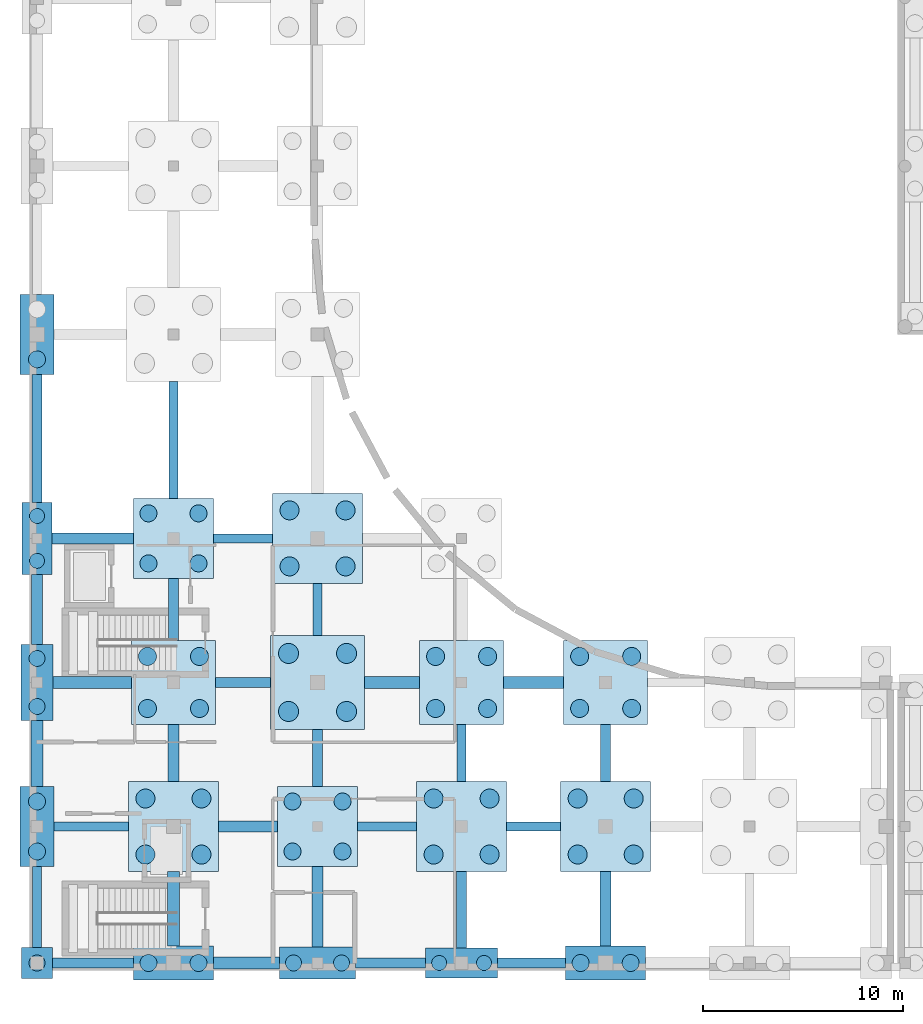
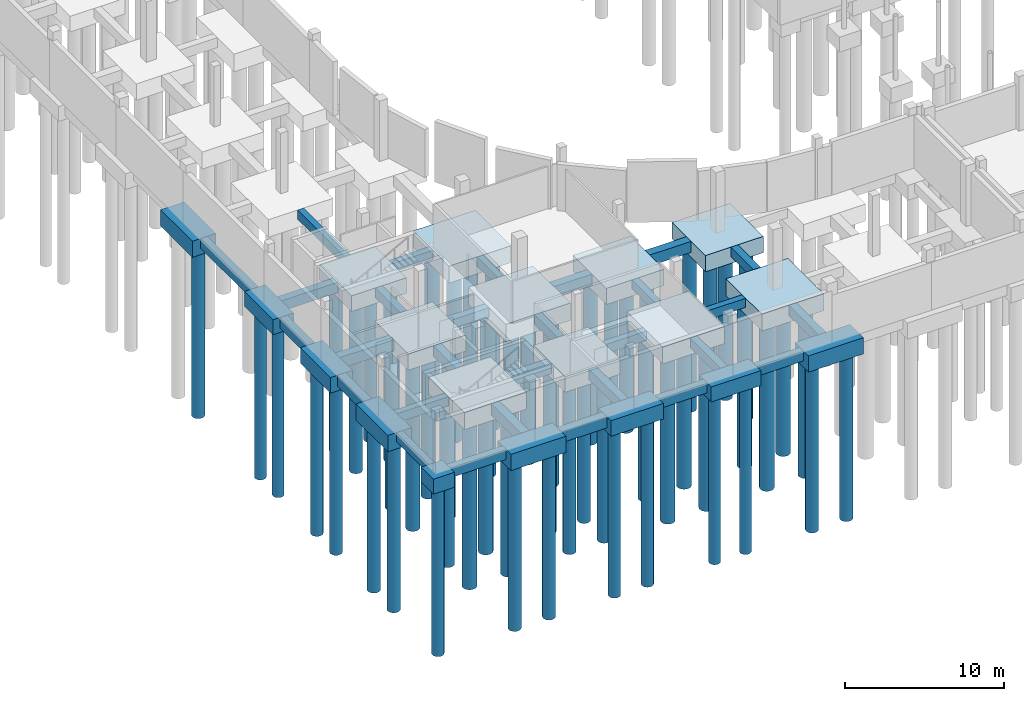
# One storey, part 1 of 41: 56 piles, 48 footings.
"""IFC4 building model written with IfcOpenShell, lengths in metres."""

from ifc_helpers import new_model, si_unit, direction, frame, origin, origin_2d, place, context, subcontext, project, spatial, rectangle, circle, extrude, material, material_profile, profile_set, type_object, element, save


model = new_model("IFC4")

# Units and contexts
model_context = context("Model", 3, precision=1e-05, world=origin(), true_north=direction((0.0, 1.0)))
body_context = subcontext(model_context, "Body", "Model", "MODEL_VIEW")
ifc_project = project(units=[si_unit("LENGTHUNIT", "METRE"), si_unit("AREAUNIT", "SQUARE_METRE"), si_unit("VOLUMEUNIT", "CUBIC_METRE"), si_unit("PLANEANGLEUNIT", "RADIAN"), si_unit("MASSUNIT", "GRAM", prefix="KILO")], contexts=[model_context])

# Site, building, storey
site_placement = place(None, origin())
site = spatial("IfcSite", under=ifc_project, at=site_placement, CompositionType="ELEMENT")
building_placement = place(site_placement, origin())
building = spatial("IfcBuilding", under=site, at=building_placement, Name="Vardoun Plaza Health Centre", CompositionType="ELEMENT")
storey_placement = place(building_placement, frame((0.0, 0.0, -4.5)))
storey = spatial("IfcBuildingStorey", under=building, at=storey_placement, Name="B1", CompositionType="ELEMENT", Elevation=-4.5)

# Footings
ifc_material_1 = material(Name="Concrete C40/50", Category="concrete")
footing_type_1 = type_object("IfcFootingType", Name="PC-02", PredefinedType="PILE_CAP", material=ifc_material_1)
footing_1_placement = place(storey_placement, frame((4.8798828125, 4.8798828125, -1.570068359375), z_axis=(0.0, 0.0, 1.0), x_axis=(1.0, 0.0, 0.0)))
element("IfcFooting", 1, at=footing_1_placement, inside=storey, type_object=footing_type_1, Name="V2 Pile Cap PC-V2-01", PredefinedType="PILE_CAP", context=body_context, shape_type="SweptSolid", body=[
    extrude(rectangle(XDim=1.550048828125, YDim=1.550048828125, at=origin_2d()), origin(), (0.0, 0.0, 1.0), 1.14990234375),
])
ifc_material_2 = material(Name="Concrete C40/50", Category="concrete")
footing_type_2 = type_object("IfcFootingType", Name="PC-03", PredefinedType="PILE_CAP", material=ifc_material_2)
for number, where, z_axis, x_axis, name in (
    (2, (4.8798828125, 26.10009765625, -1.570068359375), (0.0, 0.0, 1.0), (0.0, 1.0, 0.0), "V2 Pile Cap PC-V2-04"),
    (3, (26.10009765625, 4.8798828125, -1.570068359375), (0.0, 0.0, 1.0), (1.0, 0.0, 0.0), "V2 Pile Cap PC-V2-31"),
):
    element("IfcFooting", number, at=place(storey_placement, frame(where, z_axis=z_axis, x_axis=x_axis)), inside=storey, type_object=footing_type_2, Name=name, PredefinedType="PILE_CAP", context=body_context, shape_type="SweptSolid", body=[
        extrude(rectangle(XDim=3.60009765625, YDim=1.5, at=origin_2d()), origin(), (0.0, 0.0, 1.0), 1.14990234375),
    ])
ifc_material_3 = material(Name="Concrete C40/50", Category="concrete")
footing_type_3 = type_object("IfcFootingType", Name="PC-04", PredefinedType="PILE_CAP", material=ifc_material_3)
for number, where, z_axis, x_axis, name in (
    (4, (4.8798828125, 18.89990234375, -1.6201171875), (0.0, 0.0, 1.0), (0.0, 1.0, 0.0), "V2 Pile Cap PC-V2-03"),
    (5, (18.89990234375, 4.8798828125, -1.6201171875), (0.0, 0.0, 1.0), (1.0, 0.0, 0.0), "V2 Pile Cap PC-V2-21"),
):
    element("IfcFooting", number, at=place(storey_placement, frame(where, z_axis=z_axis, x_axis=x_axis)), inside=storey, type_object=footing_type_3, Name=name, PredefinedType="PILE_CAP", context=body_context, shape_type="SweptSolid", body=[
        extrude(rectangle(XDim=3.800048828125, YDim=1.60009765625, at=origin_2d()), origin(), (0.0, 0.0, 1.0), 1.199951171875),
    ])
ifc_material_4 = material(Name="Concrete C40/50", Category="concrete")
footing_type_4 = type_object("IfcFootingType", Name="PC-05", PredefinedType="PILE_CAP", material=ifc_material_4)
for number, where, z_axis, x_axis, name in (
    (6, (4.8798828125, 11.699951171875, -1.669921875), (0.0, 0.0, 1.0), (0.0, 1.0, 0.0), "V2 Pile Cap PC-V2-02"),
    (7, (4.8798828125, 36.300048828125, -1.669921875), (0.0, 0.0, 1.0), (0.0, 1.0, 0.0), "V2 Pile Cap PC-V2-05"),
    (8, (11.699951171875, 4.8798828125, -1.669921875), (0.0, 0.0, 1.0), (1.0, 0.0, 0.0), "V2 Pile Cap PC-V2-11"),
    (9, (33.300048828125, 4.8798828125, -1.669921875), (0.0, 0.0, 1.0), (1.0, 0.0, 0.0), "V2 Pile Cap PC-V2-35"),
):
    element("IfcFooting", number, at=place(storey_placement, frame(where, z_axis=z_axis, x_axis=x_axis)), inside=storey, type_object=footing_type_4, Name=name, PredefinedType="PILE_CAP", context=body_context, shape_type="SweptSolid", body=[
        extrude(rectangle(XDim=4.0, YDim=1.699951171875, at=origin_2d()), origin(), (0.0, 0.0, 1.0), 1.25),
    ])
ifc_material_5 = material(Name="Concrete C40/50", Category="concrete")
footing_type_5 = type_object("IfcFootingType", Name="PC-06", PredefinedType="PILE_CAP", material=ifc_material_5)
for number, where, z_axis, x_axis, name in (
    (10, (11.699951171875, 26.10009765625, -1.6201171875), (0.0, 0.0, 1.0), (1.0, 0.0, 0.0), "V2 Pile Cap PC-V2-14"),
    (11, (18.89990234375, 11.699951171875, -1.6201171875), (0.0, 0.0, 1.0), (1.0, 0.0, 0.0), "V2 Pile Cap PC-V2-22"),
):
    element("IfcFooting", number, at=place(storey_placement, frame(where, z_axis=z_axis, x_axis=x_axis)), inside=storey, type_object=footing_type_5, Name=name, PredefinedType="PILE_CAP", context=body_context, shape_type="SweptSolid", body=[
        extrude(rectangle(XDim=4.0, YDim=4.0, at=origin_2d()), origin(), (0.0, 0.0, 1.0), 1.199951171875),
    ])
ifc_material_6 = material(Name="Concrete C40/50", Category="concrete")
footing_type_6 = type_object("IfcFootingType", Name="PC-07", PredefinedType="PILE_CAP", material=ifc_material_6)
for number, where, z_axis, x_axis, name in (
    (12, (11.699951171875, 18.89990234375, -1.669921875), (0.0, 0.0, 1.0), (1.0, 0.0, 0.0), "V2 Pile Cap PC-V2-13"),
    (13, (26.10009765625, 18.89990234375, -1.669921875), (0.0, 0.0, 1.0), (1.0, 0.0, 0.0), "V2 Pile Cap PC-V2-33"),
    (14, (33.300048828125, 18.89990234375, -1.669921875), (0.0, 0.0, 1.0), (1.0, 0.0, 0.0), "V2 Pile Cap PC-V2-37"),
):
    element("IfcFooting", number, at=place(storey_placement, frame(where, z_axis=z_axis, x_axis=x_axis)), inside=storey, type_object=footing_type_6, Name=name, PredefinedType="PILE_CAP", context=body_context, shape_type="SweptSolid", body=[
        extrude(rectangle(XDim=4.199951171875, YDim=4.199951171875, at=origin_2d()), origin(), (0.0, 0.0, 1.0), 1.25),
    ])
ifc_material_7 = material(Name="Concrete C40/50", Category="concrete")
footing_type_7 = type_object("IfcFootingType", Name="PC-08", PredefinedType="PILE_CAP", material=ifc_material_7)
for number, where, z_axis, x_axis, name in (
    (15, (11.699951171875, 11.699951171875, -1.72021484375), (0.0, 0.0, 1.0), (1.0, 0.0, 0.0), "V2 Pile Cap PC-V2-12"),
    (16, (18.89990234375, 26.10009765625, -1.72021484375), (0.0, 0.0, 1.0), (1.0, 0.0, 0.0), "V2 Pile Cap PC-V2-24"),
    (17, (26.10009765625, 11.699951171875, -1.72021484375), (0.0, 0.0, 1.0), (1.0, 0.0, 0.0), "V2 Pile Cap PC-V2-32"),
    (18, (33.300048828125, 11.699951171875, -1.72021484375), (0.0, 0.0, 1.0), (1.0, 0.0, 0.0), "V2 Pile Cap PC-V2-36"),
):
    element("IfcFooting", number, at=place(storey_placement, frame(where, z_axis=z_axis, x_axis=x_axis)), inside=storey, type_object=footing_type_7, Name=name, PredefinedType="PILE_CAP", context=body_context, shape_type="SweptSolid", body=[
        extrude(rectangle(XDim=4.5, YDim=4.5, at=origin_2d()), origin(), (0.0, 0.0, 1.0), 1.300048828125),
    ])
ifc_material_8 = material(Name="Concrete C40/50", Category="concrete")
footing_type_8 = type_object("IfcFootingType", Name="PC-09", PredefinedType="PILE_CAP", material=ifc_material_8)
footing_2_placement = place(storey_placement, frame((18.89990234375, 18.89990234375, -1.77001953125), z_axis=(0.0, 0.0, 1.0), x_axis=(1.0, 0.0, 0.0)))
element("IfcFooting", 19, at=footing_2_placement, inside=storey, type_object=footing_type_8, Name="V2 Pile Cap PC-V2-23", PredefinedType="PILE_CAP", context=body_context, shape_type="SweptSolid", body=[
    extrude(rectangle(XDim=4.699951171875, YDim=4.699951171875, at=origin_2d()), origin(), (0.0, 0.0, 1.0), 1.35009765625),
])
ifc_material_9 = material(Name="Concrete C40/50", Category="concrete")
ifc_material_profile_1 = material_profile(ifc_material_9, rectangle(XDim=0.449951171875, YDim=0.699951171875, at=origin_2d()), Name="GB 450x700")
ifc_profile_set_1 = profile_set([ifc_material_profile_1], Name="Concrete C40/50")
footing_type_9 = type_object("IfcFootingType", Name="GB-01", PredefinedType="FOOTING_BEAM", material=ifc_profile_set_1)
footing_3_placement = place(storey_placement, frame((5.72998046875, 11.699951171875, -0.77001953125), z_axis=(1.0, 0.0, 0.0), x_axis=(0.0, 1.0, 0.0)))
element("IfcFooting", 20, at=footing_3_placement, inside=storey, type_object=footing_type_9, Name="V2 Ground Tie Beam 2", PredefinedType="FOOTING_BEAM", context=body_context, shape_type="SweptSolid", body=[
    extrude(rectangle(XDim=0.449951171875, YDim=0.699951171875, at=origin_2d()), origin(), (0.0, 0.0, 1.0), 3.719970703125),
])
footing_4_placement = place(storey_placement, frame((13.699951171875, 26.10009765625, -0.77001953125), z_axis=(1.0, 0.0, 0.0), x_axis=(0.0, 1.0, 0.0)))
element("IfcFooting", 21, at=footing_4_placement, inside=storey, type_object=footing_type_9, Name="V2 Ground Tie Beam 14", PredefinedType="FOOTING_BEAM", context=body_context, shape_type="SweptSolid", body=[
    extrude(rectangle(XDim=0.449951171875, YDim=0.699951171875, at=origin_2d()), origin(), (0.0, 0.0, 1.0), 2.949951171875),
])
footing_5_placement = place(storey_placement, frame((20.89990234375, 11.699951171875, -0.77001953125), z_axis=(1.0, 0.0, 0.0), x_axis=(0.0, 1.0, 0.0)))
element("IfcFooting", 22, at=footing_5_placement, inside=storey, type_object=footing_type_9, Name="V2 Ground Tie Beam 22", PredefinedType="FOOTING_BEAM", context=body_context, shape_type="SweptSolid", body=[
    extrude(rectangle(XDim=0.449951171875, YDim=0.699951171875, at=origin_2d()), origin(), (0.0, 0.0, 1.0), 2.9501953125),
])
footing_6_placement = place(storey_placement, frame((28.35009765625, 11.699951171875, -0.77001953125), z_axis=(1.0, 0.0, 0.0), x_axis=(0.0, 1.0, 0.0)))
element("IfcFooting", 23, at=footing_6_placement, inside=storey, type_object=footing_type_9, Name="V2 Ground Tie Beam 26", PredefinedType="FOOTING_BEAM", context=body_context, shape_type="SweptSolid", body=[
    extrude(rectangle(XDim=0.449951171875, YDim=0.699951171875, at=origin_2d()), origin(), (0.0, 0.0, 1.0), 2.699951171875),
])
footing_7_placement = place(storey_placement, frame((4.8798828125, 5.655029296875, -0.77001953125), z_axis=(0.0, 1.0, 0.0), x_axis=(-1.0, 0.0, 0.0)))
element("IfcFooting", 24, at=footing_7_placement, inside=storey, type_object=footing_type_9, Name="V2 Ground Tie Beam 34", PredefinedType="FOOTING_BEAM", context=body_context, shape_type="SweptSolid", body=[
    extrude(rectangle(XDim=0.449951171875, YDim=0.699951171875, at=origin_2d()), origin(), (0.0, 0.0, 1.0), 4.044921875),
])
footing_8_placement = place(storey_placement, frame((11.699951171875, 28.10009765625, -0.77001953125), z_axis=(0.0, 1.0, 0.0), x_axis=(-1.0, 0.0, 0.0)))
element("IfcFooting", 25, at=footing_8_placement, inside=storey, type_object=footing_type_9, Name="V2 Ground Tie Beam 46", PredefinedType="FOOTING_BEAM", context=body_context, shape_type="SweptSolid", body=[
    extrude(rectangle(XDim=0.449951171875, YDim=0.699951171875, at=origin_2d()), origin(), (0.0, 0.0, 1.0), 5.849853515625),
])
footing_9_placement = place(storey_placement, frame((18.89990234375, 21.25, -0.77001953125), z_axis=(0.0, 1.0, 0.0), x_axis=(-1.0, 0.0, 0.0)))
element("IfcFooting", 26, at=footing_9_placement, inside=storey, type_object=footing_type_9, Name="V2 Ground Tie Beam 54", PredefinedType="FOOTING_BEAM", context=body_context, shape_type="SweptSolid", body=[
    extrude(rectangle(XDim=0.449951171875, YDim=0.699951171875, at=origin_2d()), origin(), (0.0, 0.0, 1.0), 2.60009765625),
])
footing_10_placement = place(storey_placement, frame((26.10009765625, 13.949951171875, -0.77001953125), z_axis=(0.0, 1.0, 0.0), x_axis=(-1.0, 0.0, 0.0)))
element("IfcFooting", 27, at=footing_10_placement, inside=storey, type_object=footing_type_9, Name="V2 Ground Tie Beam 62", PredefinedType="FOOTING_BEAM", context=body_context, shape_type="SweptSolid", body=[
    extrude(rectangle(XDim=0.449951171875, YDim=0.699951171875, at=origin_2d()), origin(), (0.0, 0.0, 1.0), 2.85009765625),
])
ifc_material_10 = material(Name="Concrete C40/50", Category="concrete")
ifc_material_profile_2 = material_profile(ifc_material_10, rectangle(XDim=0.5, YDim=0.75, at=origin_2d()), Name="GB 500x750")
ifc_profile_set_2 = profile_set([ifc_material_profile_2], Name="Concrete C40/50")
footing_type_10 = type_object("IfcFootingType", Name="GB-02", PredefinedType="FOOTING_BEAM", material=ifc_profile_set_2)
footing_11_placement = place(storey_placement, frame((5.655029296875, 4.8798828125, -0.794921875), z_axis=(1.0, 0.0, 0.0), x_axis=(0.0, 1.0, 0.0)))
element("IfcFooting", 28, at=footing_11_placement, inside=storey, type_object=footing_type_10, Name="V2 Ground Tie Beam 1", PredefinedType="FOOTING_BEAM", context=body_context, shape_type="SweptSolid", body=[
    extrude(rectangle(XDim=0.5, YDim=0.75, at=origin_2d()), origin(), (0.0, 0.0, 1.0), 4.044921875),
])
footing_12_placement = place(storey_placement, frame((13.800048828125, 18.89990234375, -0.794921875), z_axis=(1.0, 0.0, 0.0), x_axis=(0.0, 1.0, 0.0)))
element("IfcFooting", 29, at=footing_12_placement, inside=storey, type_object=footing_type_10, Name="V2 Ground Tie Beam 13", PredefinedType="FOOTING_BEAM", context=body_context, shape_type="SweptSolid", body=[
    extrude(rectangle(XDim=0.5, YDim=0.75, at=origin_2d()), origin(), (0.0, 0.0, 1.0), 2.75),
])
footing_13_placement = place(storey_placement, frame((20.800048828125, 4.8798828125, -0.794921875), z_axis=(1.0, 0.0, 0.0), x_axis=(0.0, 1.0, 0.0)))
element("IfcFooting", 30, at=footing_13_placement, inside=storey, type_object=footing_type_10, Name="V2 Ground Tie Beam 21", PredefinedType="FOOTING_BEAM", context=body_context, shape_type="SweptSolid", body=[
    extrude(rectangle(XDim=0.5, YDim=0.75, at=origin_2d()), origin(), (0.0, 0.0, 1.0), 3.5),
])
footing_14_placement = place(storey_placement, frame((27.89990234375, 4.8798828125, -0.794921875), z_axis=(1.0, 0.0, 0.0), x_axis=(0.0, 1.0, 0.0)))
element("IfcFooting", 31, at=footing_14_placement, inside=storey, type_object=footing_type_10, Name="V2 Ground Tie Beam 25", PredefinedType="FOOTING_BEAM", context=body_context, shape_type="SweptSolid", body=[
    extrude(rectangle(XDim=0.5, YDim=0.75, at=origin_2d()), origin(), (0.0, 0.0, 1.0), 3.400146484375),
])
footing_15_placement = place(storey_placement, frame((4.8798828125, 27.89990234375, -0.794921875), z_axis=(0.0, 1.0, 0.0), x_axis=(-1.0, 0.0, 0.0)))
element("IfcFooting", 32, at=footing_15_placement, inside=storey, type_object=footing_type_10, Name="V2 Ground Tie Beam 37", PredefinedType="FOOTING_BEAM", context=body_context, shape_type="SweptSolid", body=[
    extrude(rectangle(XDim=0.5, YDim=0.75, at=origin_2d()), origin(), (0.0, 0.0, 1.0), 6.400146484375),
])
footing_16_placement = place(storey_placement, frame((11.699951171875, 21.0, -0.794921875), z_axis=(0.0, 1.0, 0.0), x_axis=(-1.0, 0.0, 0.0)))
element("IfcFooting", 33, at=footing_16_placement, inside=storey, type_object=footing_type_10, Name="V2 Ground Tie Beam 45", PredefinedType="FOOTING_BEAM", context=body_context, shape_type="SweptSolid", body=[
    extrude(rectangle(XDim=0.5, YDim=0.75, at=origin_2d()), origin(), (0.0, 0.0, 1.0), 3.10009765625),
])
footing_17_placement = place(storey_placement, frame((18.89990234375, 13.699951171875, -0.794921875), z_axis=(0.0, 1.0, 0.0), x_axis=(-1.0, 0.0, 0.0)))
element("IfcFooting", 34, at=footing_17_placement, inside=storey, type_object=footing_type_10, Name="V2 Ground Tie Beam 53", PredefinedType="FOOTING_BEAM", context=body_context, shape_type="SweptSolid", body=[
    extrude(rectangle(XDim=0.5, YDim=0.75, at=origin_2d()), origin(), (0.0, 0.0, 1.0), 2.85009765625),
])
footing_18_placement = place(storey_placement, frame((26.10009765625, 5.6298828125, -0.794921875), z_axis=(0.0, 1.0, 0.0), x_axis=(-1.0, 0.0, 0.0)))
element("IfcFooting", 35, at=footing_18_placement, inside=storey, type_object=footing_type_10, Name="V2 Ground Tie Beam 61", PredefinedType="FOOTING_BEAM", context=body_context, shape_type="SweptSolid", body=[
    extrude(rectangle(XDim=0.5, YDim=0.75, at=origin_2d()), origin(), (0.0, 0.0, 1.0), 3.820068359375),
])
footing_19_placement = place(storey_placement, frame((33.300048828125, 13.949951171875, -0.794921875), z_axis=(0.0, 1.0, 0.0), x_axis=(-1.0, 0.0, 0.0)))
element("IfcFooting", 36, at=footing_19_placement, inside=storey, type_object=footing_type_10, Name="V2 Ground Tie Beam 65", PredefinedType="FOOTING_BEAM", context=body_context, shape_type="SweptSolid", body=[
    extrude(rectangle(XDim=0.5, YDim=0.75, at=origin_2d()), origin(), (0.0, 0.0, 1.0), 2.85009765625),
])
ifc_material_11 = material(Name="Concrete C40/50", Category="concrete")
ifc_material_profile_3 = material_profile(ifc_material_11, rectangle(XDim=0.550048828125, YDim=0.800048828125, at=origin_2d()), Name="GB 550x800")
ifc_profile_set_3 = profile_set([ifc_material_profile_3], Name="Concrete C40/50")
footing_type_11 = type_object("IfcFootingType", Name="GB-03", PredefinedType="FOOTING_BEAM", material=ifc_profile_set_3)
footing_20_placement = place(storey_placement, frame((5.6298828125, 26.10009765625, -0.820068359375), z_axis=(1.0, 0.0, 0.0), x_axis=(0.0, 1.0, 0.0)))
element("IfcFooting", 37, at=footing_20_placement, inside=storey, type_object=footing_type_11, Name="V2 Ground Tie Beam 4", PredefinedType="FOOTING_BEAM", context=body_context, shape_type="SweptSolid", body=[
    extrude(rectangle(XDim=0.550048828125, YDim=0.800048828125, at=origin_2d()), origin(), (0.0, 0.0, 1.0), 4.070068359375),
])
footing_21_placement = place(storey_placement, frame((13.949951171875, 11.699951171875, -0.820068359375), z_axis=(1.0, 0.0, 0.0), x_axis=(0.0, 1.0, 0.0)))
element("IfcFooting", 38, at=footing_21_placement, inside=storey, type_object=footing_type_11, Name="V2 Ground Tie Beam 12", PredefinedType="FOOTING_BEAM", context=body_context, shape_type="SweptSolid", body=[
    extrude(rectangle(XDim=0.550048828125, YDim=0.800048828125, at=origin_2d()), origin(), (0.0, 0.0, 1.0), 2.949951171875),
])
footing_22_placement = place(storey_placement, frame((4.8798828125, 20.800048828125, -0.820068359375), z_axis=(0.0, 1.0, 0.0), x_axis=(-1.0, 0.0, 0.0)))
element("IfcFooting", 39, at=footing_22_placement, inside=storey, type_object=footing_type_11, Name="V2 Ground Tie Beam 36", PredefinedType="FOOTING_BEAM", context=body_context, shape_type="SweptSolid", body=[
    extrude(rectangle(XDim=0.550048828125, YDim=0.800048828125, at=origin_2d()), origin(), (0.0, 0.0, 1.0), 3.5),
])
footing_23_placement = place(storey_placement, frame((11.699951171875, 13.949951171875, -0.820068359375), z_axis=(0.0, 1.0, 0.0), x_axis=(-1.0, 0.0, 0.0)))
element("IfcFooting", 40, at=footing_23_placement, inside=storey, type_object=footing_type_11, Name="V2 Ground Tie Beam 44", PredefinedType="FOOTING_BEAM", context=body_context, shape_type="SweptSolid", body=[
    extrude(rectangle(XDim=0.550048828125, YDim=0.800048828125, at=origin_2d()), origin(), (0.0, 0.0, 1.0), 2.85009765625),
])
footing_24_placement = place(storey_placement, frame((18.89990234375, 5.679931640625, -0.820068359375), z_axis=(0.0, 1.0, 0.0), x_axis=(-1.0, 0.0, 0.0)))
element("IfcFooting", 41, at=footing_24_placement, inside=storey, type_object=footing_type_11, Name="V2 Ground Tie Beam 52", PredefinedType="FOOTING_BEAM", context=body_context, shape_type="SweptSolid", body=[
    extrude(rectangle(XDim=0.550048828125, YDim=0.800048828125, at=origin_2d()), origin(), (0.0, 0.0, 1.0), 4.02001953125),
])
footing_25_placement = place(storey_placement, frame((33.300048828125, 5.72998046875, -0.820068359375), z_axis=(0.0, 1.0, 0.0), x_axis=(-1.0, 0.0, 0.0)))
element("IfcFooting", 42, at=footing_25_placement, inside=storey, type_object=footing_type_11, Name="V2 Ground Tie Beam 64", PredefinedType="FOOTING_BEAM", context=body_context, shape_type="SweptSolid", body=[
    extrude(rectangle(XDim=0.550048828125, YDim=0.800048828125, at=origin_2d()), origin(), (0.0, 0.0, 1.0), 3.719970703125),
])
ifc_material_12 = material(Name="Concrete C40/50", Category="concrete")
ifc_material_profile_4 = material_profile(ifc_material_12, rectangle(XDim=0.60009765625, YDim=0.85009765625, at=origin_2d()), Name="GB 600x850")
ifc_profile_set_4 = profile_set([ifc_material_profile_4], Name="Concrete C40/50")
footing_type_12 = type_object("IfcFootingType", Name="GB-04", PredefinedType="FOOTING_BEAM", material=ifc_profile_set_4)
footing_26_placement = place(storey_placement, frame((5.679931640625, 18.89990234375, -0.844970703125), z_axis=(1.0, 0.0, 0.0), x_axis=(0.0, 1.0, 0.0)))
element("IfcFooting", 43, at=footing_26_placement, inside=storey, type_object=footing_type_12, Name="V2 Ground Tie Beam 3", PredefinedType="FOOTING_BEAM", context=body_context, shape_type="SweptSolid", body=[
    extrude(rectangle(XDim=0.60009765625, YDim=0.85009765625, at=origin_2d()), origin(), (0.0, 0.0, 1.0), 3.920166015625),
])
footing_27_placement = place(storey_placement, frame((13.699951171875, 4.8798828125, -0.844970703125), z_axis=(1.0, 0.0, 0.0), x_axis=(0.0, 1.0, 0.0)))
element("IfcFooting", 44, at=footing_27_placement, inside=storey, type_object=footing_type_12, Name="V2 Ground Tie Beam 11", PredefinedType="FOOTING_BEAM", context=body_context, shape_type="SweptSolid", body=[
    extrude(rectangle(XDim=0.60009765625, YDim=0.85009765625, at=origin_2d()), origin(), (0.0, 0.0, 1.0), 3.300048828125),
])
footing_28_placement = place(storey_placement, frame((21.25, 18.89990234375, -0.844970703125), z_axis=(1.0, 0.0, 0.0), x_axis=(0.0, 1.0, 0.0)))
element("IfcFooting", 45, at=footing_28_placement, inside=storey, type_object=footing_type_12, Name="V2 Ground Tie Beam 23", PredefinedType="FOOTING_BEAM", context=body_context, shape_type="SweptSolid", body=[
    extrude(rectangle(XDim=0.60009765625, YDim=0.85009765625, at=origin_2d()), origin(), (0.0, 0.0, 1.0), 2.75),
])
footing_29_placement = place(storey_placement, frame((28.199951171875, 18.89990234375, -0.844970703125), z_axis=(1.0, 0.0, 0.0), x_axis=(0.0, 1.0, 0.0)))
element("IfcFooting", 46, at=footing_29_placement, inside=storey, type_object=footing_type_12, Name="V2 Ground Tie Beam 27", PredefinedType="FOOTING_BEAM", context=body_context, shape_type="SweptSolid", body=[
    extrude(rectangle(XDim=0.60009765625, YDim=0.85009765625, at=origin_2d()), origin(), (0.0, 0.0, 1.0), 3.0),
])
footing_30_placement = place(storey_placement, frame((4.8798828125, 13.699951171875, -0.844970703125), z_axis=(0.0, 1.0, 0.0), x_axis=(-1.0, 0.0, 0.0)))
element("IfcFooting", 47, at=footing_30_placement, inside=storey, type_object=footing_type_12, Name="V2 Ground Tie Beam 35", PredefinedType="FOOTING_BEAM", context=body_context, shape_type="SweptSolid", body=[
    extrude(rectangle(XDim=0.60009765625, YDim=0.85009765625, at=origin_2d()), origin(), (0.0, 0.0, 1.0), 3.300048828125),
])
footing_31_placement = place(storey_placement, frame((11.699951171875, 5.72998046875, -0.844970703125), z_axis=(0.0, 1.0, 0.0), x_axis=(-1.0, 0.0, 0.0)))
element("IfcFooting", 48, at=footing_31_placement, inside=storey, type_object=footing_type_12, Name="V2 Ground Tie Beam 43", PredefinedType="FOOTING_BEAM", context=body_context, shape_type="SweptSolid", body=[
    extrude(rectangle(XDim=0.60009765625, YDim=0.85009765625, at=origin_2d()), origin(), (0.0, 0.0, 1.0), 3.719970703125),
])

# Piles
ifc_material_13 = material(Name="Concrete C40/50", Category="concrete")
ifc_material_profile_5 = material_profile(ifc_material_13, circle(Radius=0.5, at=origin_2d()), Name="PILE D1000")
ifc_profile_set_5 = profile_set([ifc_material_profile_5], Name="Concrete C40/50")
pile_type_1 = type_object("IfcPileType", Name="PL-06", PredefinedType="BORED", material=ifc_profile_set_5)
for number, where, z_axis, x_axis, name in (
    (49, (17.449951171875, 17.449951171875, -1.669921875), (0.0, 0.0, -1.0), (1.0, 0.0, 0.0), "V2 Bored Pile PL-V2-23A"),
    (50, (20.35009765625, 17.449951171875, -1.669921875), (0.0, 0.0, -1.0), (1.0, 0.0, 0.0), "V2 Bored Pile PL-V2-23B"),
    (51, (17.449951171875, 20.35009765625, -1.669921875), (0.0, 0.0, -1.0), (1.0, 0.0, 0.0), "V2 Bored Pile PL-V2-23C"),
    (52, (20.35009765625, 20.35009765625, -1.669921875), (0.0, 0.0, -1.0), (1.0, 0.0, 0.0), "V2 Bored Pile PL-V2-23D"),
):
    element("IfcPile", number, at=place(storey_placement, frame(where, z_axis=z_axis, x_axis=x_axis)), inside=storey, type_object=pile_type_1, Name=name, PredefinedType="BORED", context=body_context, shape_type="SweptSolid", body=[
        extrude(circle(Radius=0.5, at=origin_2d()), origin(), (0.0, 0.0, 1.0), 12.830078125),
    ])
ifc_material_14 = material(Name="Concrete C40/50", Category="concrete")
ifc_material_profile_6 = material_profile(ifc_material_14, circle(Radius=0.375, at=origin_2d()), Name="PILE D750")
ifc_profile_set_6 = profile_set([ifc_material_profile_6], Name="Concrete C40/50")
pile_type_2 = type_object("IfcPileType", Name="PL-01", PredefinedType="BORED", material=ifc_profile_set_6)
for number, where, z_axis, x_axis, name in (
    (53, (4.8798828125, 24.97998046875, -1.469970703125), (0.0, 0.0, -1.0), (1.0, 0.0, 0.0), "V2 Bored Pile PL-V2-04A"),
    (54, (4.8798828125, 27.219970703125, -1.469970703125), (0.0, 0.0, -1.0), (1.0, 0.0, 0.0), "V2 Bored Pile PL-V2-04B"),
    (55, (24.97998046875, 4.8798828125, -1.469970703125), (0.0, 0.0, -1.0), (1.0, 0.0, 0.0), "V2 Bored Pile PL-V2-31A"),
    (56, (27.219970703125, 4.8798828125, -1.469970703125), (0.0, 0.0, -1.0), (1.0, 0.0, 0.0), "V2 Bored Pile PL-V2-31B"),
):
    element("IfcPile", number, at=place(storey_placement, frame(where, z_axis=z_axis, x_axis=x_axis)), inside=storey, type_object=pile_type_2, Name=name, PredefinedType="BORED", context=body_context, shape_type="SweptSolid", body=[
        extrude(circle(Radius=0.375, at=origin_2d()), origin(), (0.0, 0.0, 1.0), 13.030029296875),
    ])
ifc_material_15 = material(Name="Concrete C40/50", Category="concrete")
ifc_material_profile_7 = material_profile(ifc_material_15, circle(Radius=0.39990234375, at=origin_2d()), Name="PILE D800")
ifc_profile_set_7 = profile_set([ifc_material_profile_7], Name="Concrete C40/50")
pile_type_3 = type_object("IfcPileType", Name="PL-02", PredefinedType="BORED", material=ifc_profile_set_7)
pile_placement = place(storey_placement, frame((4.8798828125, 4.8798828125, -1.469970703125), z_axis=(0.0, 0.0, -1.0), x_axis=(1.0, 0.0, 0.0)))
element("IfcPile", 57, at=pile_placement, inside=storey, type_object=pile_type_3, Name="V2 Bored Pile PL-V2-01A", PredefinedType="BORED", context=body_context, shape_type="SweptSolid", body=[
    extrude(circle(Radius=0.39990234375, at=origin_2d()), origin(), (0.0, 0.0, 1.0), 13.030029296875),
])
for number, where, z_axis, x_axis, name in (
    (58, (4.8798828125, 17.699951171875, -1.52001953125), (0.0, 0.0, -1.0), (1.0, 0.0, 0.0), "V2 Bored Pile PL-V2-03A"),
    (59, (4.8798828125, 20.10009765625, -1.52001953125), (0.0, 0.0, -1.0), (1.0, 0.0, 0.0), "V2 Bored Pile PL-V2-03B"),
    (60, (17.699951171875, 4.8798828125, -1.52001953125), (0.0, 0.0, -1.0), (1.0, 0.0, 0.0), "V2 Bored Pile PL-V2-21A"),
    (61, (20.10009765625, 4.8798828125, -1.52001953125), (0.0, 0.0, -1.0), (1.0, 0.0, 0.0), "V2 Bored Pile PL-V2-21B"),
):
    element("IfcPile", number, at=place(storey_placement, frame(where, z_axis=z_axis, x_axis=x_axis)), inside=storey, type_object=pile_type_3, Name=name, PredefinedType="BORED", context=body_context, shape_type="SweptSolid", body=[
        extrude(circle(Radius=0.39990234375, at=origin_2d()), origin(), (0.0, 0.0, 1.0), 12.97998046875),
    ])
ifc_material_16 = material(Name="Concrete C40/50", Category="concrete")
ifc_material_profile_8 = material_profile(ifc_material_16, circle(Radius=0.425048828125, at=origin_2d()), Name="PILE D850")
ifc_profile_set_8 = profile_set([ifc_material_profile_8], Name="Concrete C40/50")
pile_type_4 = type_object("IfcPileType", Name="PL-03", PredefinedType="BORED", material=ifc_profile_set_8)
for number, where, z_axis, x_axis, name in (
    (62, (4.8798828125, 10.449951171875, -1.570068359375), (0.0, 0.0, -1.0), (1.0, 0.0, 0.0), "V2 Bored Pile PL-V2-02A"),
    (63, (4.8798828125, 12.949951171875, -1.570068359375), (0.0, 0.0, -1.0), (1.0, 0.0, 0.0), "V2 Bored Pile PL-V2-02B"),
    (64, (4.8798828125, 35.050048828125, -1.570068359375), (0.0, 0.0, -1.0), (1.0, 0.0, 0.0), "V2 Bored Pile PL-V2-05A"),
    (65, (10.449951171875, 4.8798828125, -1.570068359375), (0.0, 0.0, -1.0), (1.0, 0.0, 0.0), "V2 Bored Pile PL-V2-11A"),
    (66, (12.949951171875, 4.8798828125, -1.570068359375), (0.0, 0.0, -1.0), (1.0, 0.0, 0.0), "V2 Bored Pile PL-V2-11B"),
):
    element("IfcPile", number, at=place(storey_placement, frame(where, z_axis=z_axis, x_axis=x_axis)), inside=storey, type_object=pile_type_4, Name=name, PredefinedType="BORED", context=body_context, shape_type="SweptSolid", body=[
        extrude(circle(Radius=0.425048828125, at=origin_2d()), origin(), (0.0, 0.0, 1.0), 12.929931640625),
    ])
for number, where, z_axis, x_axis, name in (
    (67, (10.449951171875, 24.85009765625, -1.52001953125), (0.0, 0.0, -1.0), (1.0, 0.0, 0.0), "V2 Bored Pile PL-V2-14A"),
    (68, (12.949951171875, 24.85009765625, -1.52001953125), (0.0, 0.0, -1.0), (1.0, 0.0, 0.0), "V2 Bored Pile PL-V2-14B"),
    (69, (10.449951171875, 27.35009765625, -1.52001953125), (0.0, 0.0, -1.0), (1.0, 0.0, 0.0), "V2 Bored Pile PL-V2-14C"),
    (70, (12.949951171875, 27.35009765625, -1.52001953125), (0.0, 0.0, -1.0), (1.0, 0.0, 0.0), "V2 Bored Pile PL-V2-14D"),
    (71, (17.64990234375, 10.449951171875, -1.52001953125), (0.0, 0.0, -1.0), (1.0, 0.0, 0.0), "V2 Bored Pile PL-V2-22A"),
    (72, (20.14990234375, 10.449951171875, -1.52001953125), (0.0, 0.0, -1.0), (1.0, 0.0, 0.0), "V2 Bored Pile PL-V2-22B"),
    (73, (17.64990234375, 12.949951171875, -1.52001953125), (0.0, 0.0, -1.0), (1.0, 0.0, 0.0), "V2 Bored Pile PL-V2-22C"),
    (74, (20.14990234375, 12.949951171875, -1.52001953125), (0.0, 0.0, -1.0), (1.0, 0.0, 0.0), "V2 Bored Pile PL-V2-22D"),
):
    element("IfcPile", number, at=place(storey_placement, frame(where, z_axis=z_axis, x_axis=x_axis)), inside=storey, type_object=pile_type_4, Name=name, PredefinedType="BORED", context=body_context, shape_type="SweptSolid", body=[
        extrude(circle(Radius=0.425048828125, at=origin_2d()), origin(), (0.0, 0.0, 1.0), 12.97998046875),
    ])
for number, where, z_axis, x_axis, name in (
    (75, (32.050048828125, 4.8798828125, -1.570068359375), (0.0, 0.0, -1.0), (1.0, 0.0, 0.0), "V2 Bored Pile PL-V2-35A"),
    (76, (34.550048828125, 4.8798828125, -1.570068359375), (0.0, 0.0, -1.0), (1.0, 0.0, 0.0), "V2 Bored Pile PL-V2-35B"),
):
    element("IfcPile", number, at=place(storey_placement, frame(where, z_axis=z_axis, x_axis=x_axis)), inside=storey, type_object=pile_type_4, Name=name, PredefinedType="BORED", context=body_context, shape_type="SweptSolid", body=[
        extrude(circle(Radius=0.425048828125, at=origin_2d()), origin(), (0.0, 0.0, 1.0), 12.929931640625),
    ])
ifc_material_17 = material(Name="Concrete C40/50", Category="concrete")
ifc_material_profile_9 = material_profile(ifc_material_17, circle(Radius=0.449951171875, at=origin_2d()), Name="PILE D900")
ifc_profile_set_9 = profile_set([ifc_material_profile_9], Name="Concrete C40/50")
pile_type_5 = type_object("IfcPileType", Name="PL-04", PredefinedType="BORED", material=ifc_profile_set_9)
for number, where, z_axis, x_axis, name in (
    (77, (10.39990234375, 17.60009765625, -1.570068359375), (0.0, 0.0, -1.0), (1.0, 0.0, 0.0), "V2 Bored Pile PL-V2-13A"),
    (78, (13.0, 17.60009765625, -1.570068359375), (0.0, 0.0, -1.0), (1.0, 0.0, 0.0), "V2 Bored Pile PL-V2-13B"),
    (79, (10.39990234375, 20.199951171875, -1.570068359375), (0.0, 0.0, -1.0), (1.0, 0.0, 0.0), "V2 Bored Pile PL-V2-13C"),
    (80, (13.0, 20.199951171875, -1.570068359375), (0.0, 0.0, -1.0), (1.0, 0.0, 0.0), "V2 Bored Pile PL-V2-13D"),
    (81, (24.800048828125, 17.60009765625, -1.570068359375), (0.0, 0.0, -1.0), (1.0, 0.0, 0.0), "V2 Bored Pile PL-V2-33A"),
    (82, (27.39990234375, 17.60009765625, -1.570068359375), (0.0, 0.0, -1.0), (1.0, 0.0, 0.0), "V2 Bored Pile PL-V2-33B"),
    (83, (24.800048828125, 20.199951171875, -1.570068359375), (0.0, 0.0, -1.0), (1.0, 0.0, 0.0), "V2 Bored Pile PL-V2-33C"),
    (84, (27.39990234375, 20.199951171875, -1.570068359375), (0.0, 0.0, -1.0), (1.0, 0.0, 0.0), "V2 Bored Pile PL-V2-33D"),
    (85, (32.0, 17.60009765625, -1.570068359375), (0.0, 0.0, -1.0), (1.0, 0.0, 0.0), "V2 Bored Pile PL-V2-37A"),
    (86, (34.60009765625, 17.60009765625, -1.570068359375), (0.0, 0.0, -1.0), (1.0, 0.0, 0.0), "V2 Bored Pile PL-V2-37B"),
    (87, (32.0, 20.199951171875, -1.570068359375), (0.0, 0.0, -1.0), (1.0, 0.0, 0.0), "V2 Bored Pile PL-V2-37C"),
    (88, (34.60009765625, 20.199951171875, -1.570068359375), (0.0, 0.0, -1.0), (1.0, 0.0, 0.0), "V2 Bored Pile PL-V2-37D"),
):
    element("IfcPile", number, at=place(storey_placement, frame(where, z_axis=z_axis, x_axis=x_axis)), inside=storey, type_object=pile_type_5, Name=name, PredefinedType="BORED", context=body_context, shape_type="SweptSolid", body=[
        extrude(circle(Radius=0.449951171875, at=origin_2d()), origin(), (0.0, 0.0, 1.0), 12.929931640625),
    ])
ifc_material_18 = material(Name="Concrete C40/50", Category="concrete")
ifc_material_profile_10 = material_profile(ifc_material_18, circle(Radius=0.47509765625, at=origin_2d()), Name="PILE D950")
ifc_profile_set_10 = profile_set([ifc_material_profile_10], Name="Concrete C40/50")
pile_type_6 = type_object("IfcPileType", Name="PL-05", PredefinedType="BORED", material=ifc_profile_set_10)
for number, where, z_axis, x_axis, name in (
    (89, (10.300048828125, 10.300048828125, -1.6201171875), (0.0, 0.0, -1.0), (1.0, 0.0, 0.0), "V2 Bored Pile PL-V2-12A"),
    (90, (13.10009765625, 10.300048828125, -1.6201171875), (0.0, 0.0, -1.0), (1.0, 0.0, 0.0), "V2 Bored Pile PL-V2-12B"),
    (91, (10.300048828125, 13.10009765625, -1.6201171875), (0.0, 0.0, -1.0), (1.0, 0.0, 0.0), "V2 Bored Pile PL-V2-12C"),
    (92, (13.10009765625, 13.10009765625, -1.6201171875), (0.0, 0.0, -1.0), (1.0, 0.0, 0.0), "V2 Bored Pile PL-V2-12D"),
    (93, (17.5, 24.699951171875, -1.6201171875), (0.0, 0.0, -1.0), (1.0, 0.0, 0.0), "V2 Bored Pile PL-V2-24A"),
    (94, (20.300048828125, 24.699951171875, -1.6201171875), (0.0, 0.0, -1.0), (1.0, 0.0, 0.0), "V2 Bored Pile PL-V2-24B"),
    (95, (17.5, 27.5, -1.6201171875), (0.0, 0.0, -1.0), (1.0, 0.0, 0.0), "V2 Bored Pile PL-V2-24C"),
    (96, (20.300048828125, 27.5, -1.6201171875), (0.0, 0.0, -1.0), (1.0, 0.0, 0.0), "V2 Bored Pile PL-V2-24D"),
    (97, (24.699951171875, 10.300048828125, -1.6201171875), (0.0, 0.0, -1.0), (1.0, 0.0, 0.0), "V2 Bored Pile PL-V2-32A"),
    (98, (27.5, 10.300048828125, -1.6201171875), (0.0, 0.0, -1.0), (1.0, 0.0, 0.0), "V2 Bored Pile PL-V2-32B"),
    (99, (24.699951171875, 13.10009765625, -1.6201171875), (0.0, 0.0, -1.0), (1.0, 0.0, 0.0), "V2 Bored Pile PL-V2-32C"),
    (100, (27.5, 13.10009765625, -1.6201171875), (0.0, 0.0, -1.0), (1.0, 0.0, 0.0), "V2 Bored Pile PL-V2-32D"),
    (101, (31.89990234375, 10.300048828125, -1.6201171875), (0.0, 0.0, -1.0), (1.0, 0.0, 0.0), "V2 Bored Pile PL-V2-36A"),
    (102, (34.699951171875, 10.300048828125, -1.6201171875), (0.0, 0.0, -1.0), (1.0, 0.0, 0.0), "V2 Bored Pile PL-V2-36B"),
    (103, (31.89990234375, 13.10009765625, -1.6201171875), (0.0, 0.0, -1.0), (1.0, 0.0, 0.0), "V2 Bored Pile PL-V2-36C"),
    (104, (34.699951171875, 13.10009765625, -1.6201171875), (0.0, 0.0, -1.0), (1.0, 0.0, 0.0), "V2 Bored Pile PL-V2-36D"),
):
    element("IfcPile", number, at=place(storey_placement, frame(where, z_axis=z_axis, x_axis=x_axis)), inside=storey, type_object=pile_type_6, Name=name, PredefinedType="BORED", context=body_context, shape_type="SweptSolid", body=[
        extrude(circle(Radius=0.47509765625, at=origin_2d()), origin(), (0.0, 0.0, 1.0), 12.8798828125),
    ])

save(model, "model.ifc")
